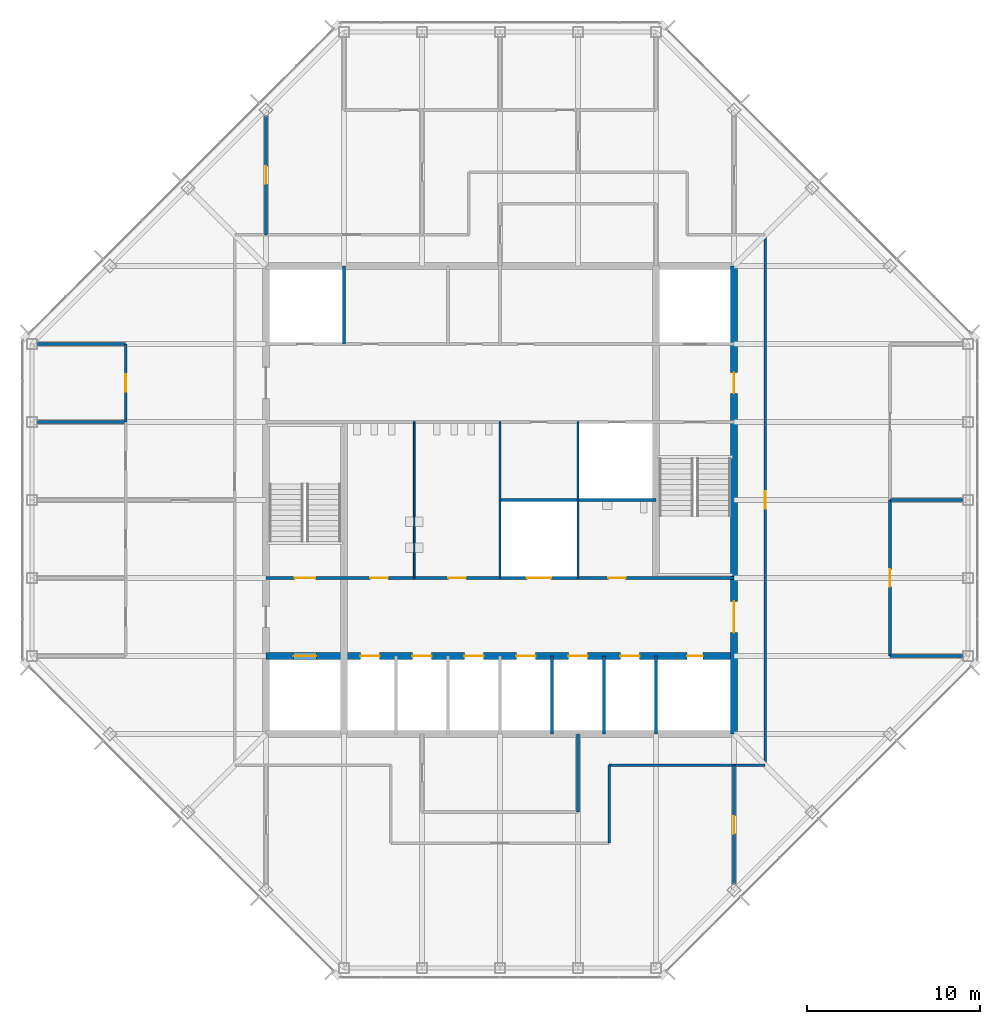
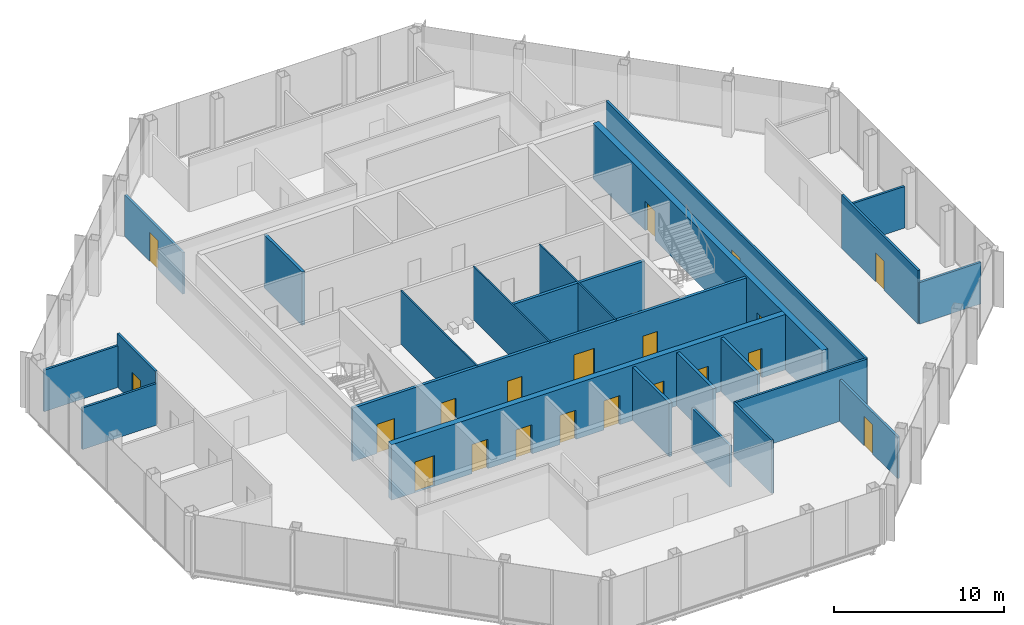
# One storey, part 10 of 14: 23 walls, 20 doors, 20 openings.
"""IFC4 building model written with IfcOpenShell, lengths in metres."""

from ifc_helpers import new_model, si_unit, direction, frame, frame_2d, origin, place, context, subcontext, project, spatial, rectangle, extrude, material, layer, layer_set, type_object, element, fill, save


model = new_model("IFC4")

# Units and contexts
model_context = context("Model", 3, precision=1e-05, world=origin(), true_north=direction((0.0, 1.0)))
body_context = subcontext(model_context, "Body", "Model", "MODEL_VIEW")
ifc_project = project(units=[si_unit("LENGTHUNIT", "METRE"), si_unit("AREAUNIT", "SQUARE_METRE"), si_unit("VOLUMEUNIT", "CUBIC_METRE"), si_unit("PLANEANGLEUNIT", "RADIAN"), si_unit("MASSUNIT", "GRAM", prefix="KILO")], contexts=[model_context])

# Site, building, storey
site_placement = place(None, origin())
site = spatial("IfcSite", under=ifc_project, at=site_placement, CompositionType="ELEMENT")
building_placement = place(site_placement, origin())
building = spatial("IfcBuilding", under=site, at=building_placement, Name="Corais Broadcast Tower", CompositionType="ELEMENT")
storey_placement = place(building_placement, frame((0.0, 0.0, 262.60009765625)))
storey = spatial("IfcBuildingStorey", under=building, at=storey_placement, Name="L61", CompositionType="ELEMENT", Elevation=262.60009765625)

# Walls
ifc_material_1 = material(Name="Concrete blockwork class A, grouted, two-hour", Category="masonry")
ifc_layer_1 = layer(ifc_material_1, 0.199951171875)
ifc_layer_set_1 = layer_set([ifc_layer_1], Name="Concrete blockwork class A, grouted, two-hour")
wall_type_1 = type_object("IfcWallType", Name="Core lobby wall 200", PredefinedType="SOLIDWALL", material=ifc_layer_set_1)
for number, where, z_axis, x_axis, name in (
    (1, (18.0, 36.0, 0.0), (0.0, 0.0, 1.0), (0.0, 1.0, 0.0), "CL3 core shaft wall X18B L61"),
    (2, (36.0, 13.5, 0.0), (0.0, 0.0, 1.0), (0.0, 1.0, 0.0), "CL3 core shaft wall X36A L61"),
):
    element("IfcWall", number, at=place(storey_placement, frame(where, z_axis=z_axis, x_axis=x_axis)), inside=storey, type_object=wall_type_1, Name=name, PredefinedType="SOLIDWALL", context=body_context, shape_type="SweptSolid", body=[
        extrude(rectangle(XDim=4.5, YDim=0.199951171875, at=frame_2d((2.25, 0.0))), origin(), (0.0, 0.0, 1.0), 3.83984375),
    ])

# Wall, openings, doors
wall_1_placement = place(storey_placement, frame((13.5, 22.5, 0.0), z_axis=(0.0, 0.0, 1.0), x_axis=(1.0, 0.0, 0.0)))
wall_1 = element("IfcWall", 3, at=wall_1_placement, inside=storey, type_object=wall_type_1, Name="CL3 core lobby wall Y225 L61", PredefinedType="SOLIDWALL", context=body_context, shape_type="SweptSolid", body=[
    extrude(rectangle(XDim=27.0, YDim=0.199951171875, at=frame_2d((13.5, 0.0))), origin(), (0.0, 0.0, 1.0), 3.83984375),
])
opening_1_placement = place(wall_1_placement, frame((1.64990234375, 0.0, 0.0)))
opening_1 = element("IfcOpeningElement", 4, at=opening_1_placement, cuts=wall_1, Name="Opening FD1", PredefinedType="OPENING", context=body_context, shape_type="SweptSolid", body=[
    extrude(rectangle(XDim=1.199951171875, YDim=2.10009765625, at=frame_2d((0.60009765625, 1.050048828125))), frame((0.0, 0.10986328125, 0.0), z_axis=(0.0, -1.0, 0.0), x_axis=(1.0, 0.0, 0.0)), (0.0, 0.0, 1.0), 0.219970703125),
])
opening_2_placement = place(wall_1_placement, frame((6.02490234375, 0.0, 0.0)))
opening_2 = element("IfcOpeningElement", 5, at=opening_2_placement, cuts=wall_1, Name="Opening WD1", PredefinedType="OPENING", context=body_context, shape_type="SweptSolid", body=[
    extrude(rectangle(XDim=1.0, YDim=2.10009765625, at=frame_2d((0.5, 1.050048828125))), frame((0.0, 0.10986328125, 0.0), z_axis=(0.0, -1.0, 0.0), x_axis=(1.0, 0.0, 0.0)), (0.0, 0.0, 1.0), 0.219970703125),
])
opening_3_placement = place(wall_1_placement, frame((10.52490234375, 0.0, 0.0)))
opening_3 = element("IfcOpeningElement", 6, at=opening_3_placement, cuts=wall_1, Name="Opening WD1", PredefinedType="OPENING", context=body_context, shape_type="SweptSolid", body=[
    extrude(rectangle(XDim=1.0, YDim=2.10009765625, at=frame_2d((0.5, 1.050048828125))), frame((0.0, 0.10986328125, 0.0), z_axis=(0.0, -1.0, 0.0), x_axis=(1.0, 0.0, 0.0)), (0.0, 0.0, 1.0), 0.219970703125),
])
opening_4_placement = place(wall_1_placement, frame((19.75, 0.0, 0.0)))
opening_4 = element("IfcOpeningElement", 7, at=opening_4_placement, cuts=wall_1, Name="Opening WD1", PredefinedType="OPENING", context=body_context, shape_type="SweptSolid", body=[
    extrude(rectangle(XDim=1.0, YDim=2.10009765625, at=frame_2d((0.5, 1.050048828125))), frame((0.0, 0.10986328125, 0.0), z_axis=(0.0, -1.0, 0.0), x_axis=(1.0, 0.0, 0.0)), (0.0, 0.0, 1.0), 0.219970703125),
])
opening_5_placement = place(wall_1_placement, frame((15.050048828125, 0.0, 0.0)))
opening_5 = element("IfcOpeningElement", 8, at=opening_5_placement, cuts=wall_1, Name="Opening LD3", PredefinedType="OPENING", context=body_context, shape_type="SweptSolid", body=[
    extrude(rectangle(XDim=1.39990234375, YDim=2.39990234375, at=frame_2d((0.699951171875, 1.199951171875))), frame((0.0, 0.10986328125, 0.0), z_axis=(0.0, -1.0, 0.0), x_axis=(1.0, 0.0, 0.0)), (0.0, 0.0, 1.0), 0.219970703125),
])
ifc_material_2 = material(Name="Steel fire door", Category="steel")
door_type_1 = type_object("IfcDoorType", Name="Fire door 1200x2100", OperationType="SINGLE_SWING_LEFT", PredefinedType="DOOR", material=ifc_material_2)
door_1_placement = place(opening_1_placement, origin())
door_1 = element("IfcDoor", 9, at=door_1_placement, inside=storey, type_object=door_type_1, Name="FD1 stair A door L61", OperationType="SINGLE_SWING_LEFT", OverallHeight=2.10009765625, OverallWidth=1.199951171875, PredefinedType="DOOR", context=body_context, shape_type="SweptSolid", body=[
    extrude(rectangle(XDim=1.199951171875, YDim=2.10009765625, at=frame_2d((0.60009765625, 1.050048828125))), frame((0.0, 0.02490234375, 0.0), z_axis=(0.0, -1.0, 0.0), x_axis=(1.0, 0.0, 0.0)), (0.0, 0.0, 1.0), 0.050048828125),
])
fill(opening_1, door_1)
ifc_material_3 = material(Name="Stainless steel lift door", Category="steel")
door_type_2 = type_object("IfcDoorType", Name="Service lift landing door 1400x2400", OperationType="SLIDING_TO_LEFT", PredefinedType="DOOR", material=ifc_material_3)
door_2_placement = place(opening_5_placement, origin())
door_2 = element("IfcDoor", 10, at=door_2_placement, inside=storey, type_object=door_type_2, Name="LD3 SL1 landing door L61", OperationType="SLIDING_TO_LEFT", OverallHeight=2.39990234375, OverallWidth=1.39990234375, PredefinedType="DOOR", context=body_context, shape_type="SweptSolid", body=[
    extrude(rectangle(XDim=1.39990234375, YDim=2.39990234375, at=frame_2d((0.699951171875, 1.199951171875))), frame((0.0, 0.02490234375, 0.0), z_axis=(0.0, -1.0, 0.0), x_axis=(1.0, 0.0, 0.0)), (0.0, 0.0, 1.0), 0.050048828125),
])
fill(opening_5, door_2)
ifc_material_4 = material(Name="Timber door", Category="wood")
door_type_3 = type_object("IfcDoorType", Name="Toilet door 1000x2100", OperationType="SINGLE_SWING_LEFT", PredefinedType="DOOR", material=ifc_material_4)
door_3_placement = place(opening_2_placement, origin())
door_3 = element("IfcDoor", 11, at=door_3_placement, inside=storey, type_object=door_type_3, Name="WD1 WC male door L61", OperationType="SINGLE_SWING_LEFT", OverallHeight=2.10009765625, OverallWidth=1.0, PredefinedType="DOOR", context=body_context, shape_type="SweptSolid", body=[
    extrude(rectangle(XDim=1.0, YDim=2.10009765625, at=frame_2d((0.5, 1.050048828125))), frame((0.0, 0.02490234375, 0.0), z_axis=(0.0, -1.0, 0.0), x_axis=(1.0, 0.0, 0.0)), (0.0, 0.0, 1.0), 0.050048828125),
])
fill(opening_2, door_3)
door_4_placement = place(opening_3_placement, origin())
door_4 = element("IfcDoor", 12, at=door_4_placement, inside=storey, type_object=door_type_3, Name="WD1 WC female door L61", OperationType="SINGLE_SWING_LEFT", OverallHeight=2.10009765625, OverallWidth=1.0, PredefinedType="DOOR", context=body_context, shape_type="SweptSolid", body=[
    extrude(rectangle(XDim=1.0, YDim=2.10009765625, at=frame_2d((0.5, 1.050048828125))), frame((0.0, 0.02490234375, 0.0), z_axis=(0.0, -1.0, 0.0), x_axis=(1.0, 0.0, 0.0)), (0.0, 0.0, 1.0), 0.050048828125),
])
fill(opening_3, door_4)
door_5_placement = place(opening_4_placement, origin())
door_5 = element("IfcDoor", 13, at=door_5_placement, inside=storey, type_object=door_type_3, Name="WD1 accessible WC door L61", OperationType="SINGLE_SWING_RIGHT", OverallHeight=2.10009765625, OverallWidth=1.0, PredefinedType="DOOR", context=body_context, shape_type="SweptSolid", body=[
    extrude(rectangle(XDim=1.0, YDim=2.10009765625, at=frame_2d((0.5, 1.050048828125))), frame((0.0, 0.02490234375, 0.0), z_axis=(0.0, -1.0, 0.0), x_axis=(1.0, 0.0, 0.0)), (0.0, 0.0, 1.0), 0.050048828125),
])
fill(opening_4, door_5)

ifc_material_5 = material(Name="Concrete C50/60", Category="concrete")
ifc_layer_2 = layer(ifc_material_5, 0.39990234375)
ifc_layer_set_2 = layer_set([ifc_layer_2], Name="Concrete C50/60")
wall_type_2 = type_object("IfcWallType", Name="Core wall 400", PredefinedType="SHEAR", material=ifc_layer_set_2)
wall_2_placement = place(storey_placement, frame((40.5, 13.5, 0.0), z_axis=(0.0, 0.0, 1.0), x_axis=(0.0, 1.0, 0.0)))
wall_2 = element("IfcWall", 14, at=wall_2_placement, inside=storey, type_object=wall_type_2, Name="CR400 core wall E L61", PredefinedType="SHEAR", context=body_context, shape_type="SweptSolid", body=[
    extrude(rectangle(XDim=27.0, YDim=0.39990234375, at=frame_2d((13.5, 0.0))), origin(), (0.0, 0.0, 1.0), 4.0),
])
opening_6_placement = place(wall_2_placement, frame((5.85009765625, 0.0, 0.0)))
opening_6 = element("IfcOpeningElement", 15, at=opening_6_placement, cuts=wall_2, Name="Opening FD2", PredefinedType="OPENING", context=body_context, shape_type="SweptSolid", body=[
    extrude(rectangle(XDim=1.800048828125, YDim=2.10009765625, at=frame_2d((0.89990234375, 1.050048828125))), frame((0.0, 0.2099609375, 0.0), z_axis=(0.0, -1.0, 0.0), x_axis=(1.0, 0.0, 0.0)), (0.0, 0.0, 1.0), 0.419921875),
])
opening_7_placement = place(wall_2_placement, frame((19.64990234375, 0.0, 0.0)))
opening_7 = element("IfcOpeningElement", 16, at=opening_7_placement, cuts=wall_2, Name="Opening FD1", PredefinedType="OPENING", context=body_context, shape_type="SweptSolid", body=[
    extrude(rectangle(XDim=1.199951171875, YDim=2.10009765625, at=frame_2d((0.60009765625, 1.050048828125))), frame((0.0, 0.2099609375, 0.0), z_axis=(0.0, -1.0, 0.0), x_axis=(1.0, 0.0, 0.0)), (0.0, 0.0, 1.0), 0.419921875),
])
door_6_placement = place(opening_7_placement, origin())
door_6 = element("IfcDoor", 17, at=door_6_placement, inside=storey, type_object=door_type_1, Name="FD1 fire lobby B door L61", OperationType="SINGLE_SWING_RIGHT", OverallHeight=2.10009765625, OverallWidth=1.199951171875, PredefinedType="DOOR", context=body_context, shape_type="SweptSolid", body=[
    extrude(rectangle(XDim=1.199951171875, YDim=2.10009765625, at=frame_2d((0.60009765625, 1.050048828125))), frame((0.0, 0.02490234375, 0.0), z_axis=(0.0, -1.0, 0.0), x_axis=(1.0, 0.0, 0.0)), (0.0, 0.0, 1.0), 0.050048828125),
])
fill(opening_7, door_6)
ifc_material_6 = material(Name="Steel fire door", Category="steel")
door_type_4 = type_object("IfcDoorType", Name="Fire door pair 1800x2100", OperationType="DOUBLE_DOOR_SINGLE_SWING", PredefinedType="DOOR", material=ifc_material_6)
door_7_placement = place(opening_6_placement, origin())
door_7 = element("IfcDoor", 18, at=door_7_placement, inside=storey, type_object=door_type_4, Name="FD2 lift lobby door L61", OperationType="SINGLE_SWING_LEFT", OverallHeight=2.10009765625, OverallWidth=1.800048828125, PredefinedType="DOOR", context=body_context, shape_type="SweptSolid", body=[
    extrude(rectangle(XDim=1.800048828125, YDim=2.10009765625, at=frame_2d((0.89990234375, 1.050048828125))), frame((0.0, 0.02490234375, 0.0), z_axis=(0.0, -1.0, 0.0), x_axis=(1.0, 0.0, 0.0)), (0.0, 0.0, 1.0), 0.050048828125),
])
fill(opening_6, door_7)

wall_3_placement = place(storey_placement, frame((13.5, 18.0, 0.0), z_axis=(0.0, 0.0, 1.0), x_axis=(1.0, 0.0, 0.0)))
wall_3 = element("IfcWall", 19, at=wall_3_placement, inside=storey, type_object=wall_type_2, Name="CR400 core wall Y18 L61", PredefinedType="SHEAR", context=body_context, shape_type="SweptSolid", body=[
    extrude(rectangle(XDim=27.0, YDim=0.39990234375, at=frame_2d((13.5, 0.0))), origin(), (0.0, 0.0, 1.0), 4.0),
])
opening_8_placement = place(wall_3_placement, frame((24.300048828125, 0.0, 0.0)))
opening_8 = element("IfcOpeningElement", 20, at=opening_8_placement, cuts=wall_3, Name="Opening RD1", PredefinedType="OPENING", context=body_context, shape_type="SweptSolid", body=[
    extrude(rectangle(XDim=0.89990234375, YDim=2.10009765625, at=frame_2d((0.449951171875, 1.050048828125))), frame((0.0, 0.2099609375, 0.0), z_axis=(0.0, -1.0, 0.0), x_axis=(1.0, 0.0, 0.0)), (0.0, 0.0, 1.0), 0.419921875),
])
opening_9_placement = place(wall_3_placement, frame((5.449951171875, 0.0, 0.0)))
opening_9 = element("IfcOpeningElement", 21, at=opening_9_placement, cuts=wall_3, Name="Opening LD1", PredefinedType="OPENING", context=body_context, shape_type="SweptSolid", body=[
    extrude(rectangle(XDim=1.10009765625, YDim=2.10009765625, at=frame_2d((0.550048828125, 1.050048828125))), frame((0.0, 0.2099609375, 0.0), z_axis=(0.0, -1.0, 0.0), x_axis=(1.0, 0.0, 0.0)), (0.0, 0.0, 1.0), 0.419921875),
])
opening_10_placement = place(wall_3_placement, frame((8.449951171875, 0.0, 0.0)))
opening_10 = element("IfcOpeningElement", 22, at=opening_10_placement, cuts=wall_3, Name="Opening LD1", PredefinedType="OPENING", context=body_context, shape_type="SweptSolid", body=[
    extrude(rectangle(XDim=1.10009765625, YDim=2.10009765625, at=frame_2d((0.550048828125, 1.050048828125))), frame((0.0, 0.2099609375, 0.0), z_axis=(0.0, -1.0, 0.0), x_axis=(1.0, 0.0, 0.0)), (0.0, 0.0, 1.0), 0.419921875),
])
opening_11_placement = place(wall_3_placement, frame((11.449951171875, 0.0, 0.0)))
opening_11 = element("IfcOpeningElement", 23, at=opening_11_placement, cuts=wall_3, Name="Opening LD1", PredefinedType="OPENING", context=body_context, shape_type="SweptSolid", body=[
    extrude(rectangle(XDim=1.10009765625, YDim=2.10009765625, at=frame_2d((0.550048828125, 1.050048828125))), frame((0.0, 0.2099609375, 0.0), z_axis=(0.0, -1.0, 0.0), x_axis=(1.0, 0.0, 0.0)), (0.0, 0.0, 1.0), 0.419921875),
])
opening_12_placement = place(wall_3_placement, frame((14.449951171875, 0.0, 0.0)))
opening_12 = element("IfcOpeningElement", 24, at=opening_12_placement, cuts=wall_3, Name="Opening LD1", PredefinedType="OPENING", context=body_context, shape_type="SweptSolid", body=[
    extrude(rectangle(XDim=1.10009765625, YDim=2.10009765625, at=frame_2d((0.550048828125, 1.050048828125))), frame((0.0, 0.2099609375, 0.0), z_axis=(0.0, -1.0, 0.0), x_axis=(1.0, 0.0, 0.0)), (0.0, 0.0, 1.0), 0.419921875),
])
opening_13_placement = place(wall_3_placement, frame((17.449951171875, 0.0, 0.0)))
opening_13 = element("IfcOpeningElement", 25, at=opening_13_placement, cuts=wall_3, Name="Opening LD1", PredefinedType="OPENING", context=body_context, shape_type="SweptSolid", body=[
    extrude(rectangle(XDim=1.10009765625, YDim=2.10009765625, at=frame_2d((0.550048828125, 1.050048828125))), frame((0.0, 0.2099609375, 0.0), z_axis=(0.0, -1.0, 0.0), x_axis=(1.0, 0.0, 0.0)), (0.0, 0.0, 1.0), 0.419921875),
])
opening_14_placement = place(wall_3_placement, frame((20.449951171875, 0.0, 0.0)))
opening_14 = element("IfcOpeningElement", 26, at=opening_14_placement, cuts=wall_3, Name="Opening LD1", PredefinedType="OPENING", context=body_context, shape_type="SweptSolid", body=[
    extrude(rectangle(XDim=1.10009765625, YDim=2.10009765625, at=frame_2d((0.550048828125, 1.050048828125))), frame((0.0, 0.2099609375, 0.0), z_axis=(0.0, -1.0, 0.0), x_axis=(1.0, 0.0, 0.0)), (0.0, 0.0, 1.0), 0.419921875),
])
opening_15_placement = place(wall_3_placement, frame((1.60009765625, 0.0, 0.0)))
opening_15 = element("IfcOpeningElement", 27, at=opening_15_placement, cuts=wall_3, Name="Opening LD2", PredefinedType="OPENING", context=body_context, shape_type="SweptSolid", body=[
    extrude(rectangle(XDim=1.300048828125, YDim=2.199951171875, at=frame_2d((0.64990234375, 1.10009765625))), frame((0.0, 0.2099609375, 0.0), z_axis=(0.0, -1.0, 0.0), x_axis=(1.0, 0.0, 0.0)), (0.0, 0.0, 1.0), 0.419921875),
])
ifc_material_7 = material(Name="Stainless steel lift door", Category="steel")
door_type_5 = type_object("IfcDoorType", Name="Lift landing door 1100x2100", OperationType="SLIDING_TO_LEFT", PredefinedType="DOOR", material=ifc_material_7)
door_8_placement = place(opening_9_placement, origin())
door_8 = element("IfcDoor", 28, at=door_8_placement, inside=storey, type_object=door_type_5, Name="LD1 PH1 landing door L61", OperationType="SLIDING_TO_LEFT", OverallHeight=2.10009765625, OverallWidth=1.10009765625, PredefinedType="DOOR", context=body_context, shape_type="SweptSolid", body=[
    extrude(rectangle(XDim=1.10009765625, YDim=2.10009765625, at=frame_2d((0.550048828125, 1.050048828125))), frame((0.0, 0.02490234375, 0.0), z_axis=(0.0, -1.0, 0.0), x_axis=(1.0, 0.0, 0.0)), (0.0, 0.0, 1.0), 0.050048828125),
])
fill(opening_9, door_8)
door_9_placement = place(opening_10_placement, origin())
door_9 = element("IfcDoor", 29, at=door_9_placement, inside=storey, type_object=door_type_5, Name="LD1 PH2 landing door L61", OperationType="SLIDING_TO_LEFT", OverallHeight=2.10009765625, OverallWidth=1.10009765625, PredefinedType="DOOR", context=body_context, shape_type="SweptSolid", body=[
    extrude(rectangle(XDim=1.10009765625, YDim=2.10009765625, at=frame_2d((0.550048828125, 1.050048828125))), frame((0.0, 0.02490234375, 0.0), z_axis=(0.0, -1.0, 0.0), x_axis=(1.0, 0.0, 0.0)), (0.0, 0.0, 1.0), 0.050048828125),
])
fill(opening_10, door_9)
door_10_placement = place(opening_11_placement, origin())
door_10 = element("IfcDoor", 30, at=door_10_placement, inside=storey, type_object=door_type_5, Name="LD1 PH3 landing door L61", OperationType="SLIDING_TO_LEFT", OverallHeight=2.10009765625, OverallWidth=1.10009765625, PredefinedType="DOOR", context=body_context, shape_type="SweptSolid", body=[
    extrude(rectangle(XDim=1.10009765625, YDim=2.10009765625, at=frame_2d((0.550048828125, 1.050048828125))), frame((0.0, 0.02490234375, 0.0), z_axis=(0.0, -1.0, 0.0), x_axis=(1.0, 0.0, 0.0)), (0.0, 0.0, 1.0), 0.050048828125),
])
fill(opening_11, door_10)
door_11_placement = place(opening_12_placement, origin())
door_11 = element("IfcDoor", 31, at=door_11_placement, inside=storey, type_object=door_type_5, Name="LD1 PH4 landing door L61", OperationType="SLIDING_TO_LEFT", OverallHeight=2.10009765625, OverallWidth=1.10009765625, PredefinedType="DOOR", context=body_context, shape_type="SweptSolid", body=[
    extrude(rectangle(XDim=1.10009765625, YDim=2.10009765625, at=frame_2d((0.550048828125, 1.050048828125))), frame((0.0, 0.02490234375, 0.0), z_axis=(0.0, -1.0, 0.0), x_axis=(1.0, 0.0, 0.0)), (0.0, 0.0, 1.0), 0.050048828125),
])
fill(opening_12, door_11)
door_12_placement = place(opening_13_placement, origin())
door_12 = element("IfcDoor", 32, at=door_12_placement, inside=storey, type_object=door_type_5, Name="LD1 PH5 landing door L61", OperationType="SLIDING_TO_LEFT", OverallHeight=2.10009765625, OverallWidth=1.10009765625, PredefinedType="DOOR", context=body_context, shape_type="SweptSolid", body=[
    extrude(rectangle(XDim=1.10009765625, YDim=2.10009765625, at=frame_2d((0.550048828125, 1.050048828125))), frame((0.0, 0.02490234375, 0.0), z_axis=(0.0, -1.0, 0.0), x_axis=(1.0, 0.0, 0.0)), (0.0, 0.0, 1.0), 0.050048828125),
])
fill(opening_13, door_12)
door_13_placement = place(opening_14_placement, origin())
door_13 = element("IfcDoor", 33, at=door_13_placement, inside=storey, type_object=door_type_5, Name="LD1 PH6 landing door L61", OperationType="SLIDING_TO_LEFT", OverallHeight=2.10009765625, OverallWidth=1.10009765625, PredefinedType="DOOR", context=body_context, shape_type="SweptSolid", body=[
    extrude(rectangle(XDim=1.10009765625, YDim=2.10009765625, at=frame_2d((0.550048828125, 1.050048828125))), frame((0.0, 0.02490234375, 0.0), z_axis=(0.0, -1.0, 0.0), x_axis=(1.0, 0.0, 0.0)), (0.0, 0.0, 1.0), 0.050048828125),
])
fill(opening_14, door_13)
ifc_material_8 = material(Name="Stainless steel lift door", Category="steel")
door_type_6 = type_object("IfcDoorType", Name="Lift landing door 1300x2200", OperationType="SLIDING_TO_LEFT", PredefinedType="DOOR", material=ifc_material_8)
door_14_placement = place(opening_15_placement, origin())
door_14 = element("IfcDoor", 34, at=door_14_placement, inside=storey, type_object=door_type_6, Name="LD2 FL1 landing door L61", OperationType="SLIDING_TO_LEFT", OverallHeight=2.199951171875, OverallWidth=1.300048828125, PredefinedType="DOOR", context=body_context, shape_type="SweptSolid", body=[
    extrude(rectangle(XDim=1.300048828125, YDim=2.199951171875, at=frame_2d((0.64990234375, 1.10009765625))), frame((0.0, 0.02490234375, 0.0), z_axis=(0.0, -1.0, 0.0), x_axis=(1.0, 0.0, 0.0)), (0.0, 0.0, 1.0), 0.050048828125),
])
fill(opening_15, door_14)
ifc_material_9 = material(Name="Steel fire door", Category="steel")
door_type_7 = type_object("IfcDoorType", Name="Riser door 900x2100", OperationType="SINGLE_SWING_LEFT", PredefinedType="DOOR", material=ifc_material_9)
door_15_placement = place(opening_8_placement, origin())
door_15 = element("IfcDoor", 35, at=door_15_placement, inside=storey, type_object=door_type_7, Name="RD1 riser door L61", OperationType="SINGLE_SWING_RIGHT", OverallHeight=2.10009765625, OverallWidth=0.89990234375, PredefinedType="DOOR", context=body_context, shape_type="SweptSolid", body=[
    extrude(rectangle(XDim=0.89990234375, YDim=2.10009765625, at=frame_2d((0.449951171875, 1.050048828125))), frame((0.0, 0.02490234375, 0.0), z_axis=(0.0, -1.0, 0.0), x_axis=(1.0, 0.0, 0.0)), (0.0, 0.0, 1.0), 0.050048828125),
])
fill(opening_8, door_15)

# Wall, opening, door
ifc_material_10 = material(Name="Gypsum board on steel studs", Category="steel")
ifc_layer_3 = layer(ifc_material_10, 0.14990234375)
ifc_layer_set_3 = layer_set([ifc_layer_3], Name="Gypsum board on steel studs")
wall_type_3 = type_object("IfcWallType", Name="Partition 150", PredefinedType="PARTITIONING", material=ifc_layer_set_3)
wall_4_placement = place(storey_placement, frame((42.300048828125, 11.699951171875, 0.0), z_axis=(0.0, 0.0, 1.0), x_axis=(0.0, 1.0, 0.0)))
wall_4 = element("IfcWall", 36, at=wall_4_placement, inside=storey, type_object=wall_type_3, Name="IW3 corridor wall L61", PredefinedType="PARTITIONING", context=body_context, shape_type="SweptSolid", body=[
    extrude(rectangle(XDim=30.60009765625, YDim=0.14990234375, at=frame_2d((15.300048828125, 0.0))), origin(), (0.0, 0.0, 1.0), 3.83984375),
])
opening_16_placement = place(wall_4_placement, frame((14.800048828125, 0.0, 0.0)))
opening_16 = element("IfcOpeningElement", 37, at=opening_16_placement, cuts=wall_4, Name="Opening D1", PredefinedType="OPENING", context=body_context, shape_type="SweptSolid", body=[
    extrude(rectangle(XDim=1.0, YDim=2.10009765625, at=frame_2d((0.5, 1.050048828125))), frame((0.0, 0.0849609375, 0.0), z_axis=(0.0, -1.0, 0.0), x_axis=(1.0, 0.0, 0.0)), (0.0, 0.0, 1.0), 0.169921875),
])
ifc_material_11 = material(Name="Timber door", Category="wood")
door_type_8 = type_object("IfcDoorType", Name="Single door 1000x2100", OperationType="SINGLE_SWING_LEFT", PredefinedType="DOOR", material=ifc_material_11)
door_16_placement = place(opening_16_placement, origin())
door_16 = element("IfcDoor", 38, at=door_16_placement, inside=storey, type_object=door_type_8, Name="D1 workplace door L61", OperationType="SINGLE_SWING_LEFT", OverallHeight=2.10009765625, OverallWidth=1.0, PredefinedType="DOOR", context=body_context, shape_type="SweptSolid", body=[
    extrude(rectangle(XDim=1.0, YDim=2.10009765625, at=frame_2d((0.5, 1.050048828125))), frame((0.0, 0.02490234375, 0.0), z_axis=(0.0, -1.0, 0.0), x_axis=(1.0, 0.0, 0.0)), (0.0, 0.0, 1.0), 0.050048828125),
])
fill(opening_16, door_16)

# Walls
wall_5_placement = place(storey_placement, frame((33.300048828125, 11.699951171875, 0.0), z_axis=(0.0, 0.0, 1.0), x_axis=(1.0, 0.0, 0.0)))
element("IfcWall", 39, at=wall_5_placement, inside=storey, type_object=wall_type_3, Name="IW3 corridor wall L61", PredefinedType="PARTITIONING", context=body_context, shape_type="SweptSolid", body=[
    extrude(rectangle(XDim=9.0, YDim=0.14990234375, at=frame_2d((4.5, 0.0))), origin(), (0.0, 0.0, 1.0), 3.83984375),
])
wall_6_placement = place(storey_placement, frame((33.300048828125, 7.199951171875, 0.0), z_axis=(0.0, 0.0, 1.0), x_axis=(0.0, 1.0, 0.0)))
element("IfcWall", 40, at=wall_6_placement, inside=storey, type_object=wall_type_3, Name="IW3 corridor wall L61", PredefinedType="PARTITIONING", context=body_context, shape_type="SweptSolid", body=[
    extrude(rectangle(XDim=4.5, YDim=0.14990234375, at=frame_2d((2.25, 0.0))), origin(), (0.0, 0.0, 1.0), 3.83984375),
])
for number, where, z_axis, x_axis, name in (
    (41, (49.5, 18.0, 0.0), (0.0, 0.0, 1.0), (1.0, 0.0, 0.0), "IW3 partition L61"),
    (42, (53.68994140625, 27.0, 0.0), (0.0, 0.0, 1.0), (-1.0, 0.0, 0.0), "IW3 partition L61"),
):
    element("IfcWall", number, at=place(storey_placement, frame(where, z_axis=z_axis, x_axis=x_axis)), inside=storey, type_object=wall_type_3, Name=name, PredefinedType="PARTITIONING", context=body_context, shape_type="SweptSolid", body=[
        extrude(rectangle(XDim=4.18994140625, YDim=0.14990234375, at=frame_2d((2.094970703125, 0.0))), origin(), (0.0, 0.0, 1.0), 2.989013671875),
    ])

# Wall, opening, door
wall_7_placement = place(storey_placement, frame((49.5, 27.0, 0.0), z_axis=(0.0, 0.0, 1.0), x_axis=(0.0, -1.0, 0.0)))
wall_7 = element("IfcWall", 43, at=wall_7_placement, inside=storey, type_object=wall_type_3, Name="IW3 partition L61", PredefinedType="PARTITIONING", context=body_context, shape_type="SweptSolid", body=[
    extrude(rectangle(XDim=9.0, YDim=0.14990234375, at=frame_2d((4.5, 0.0))), origin(), (0.0, 0.0, 1.0), 3.83984375),
])
opening_17_placement = place(wall_7_placement, frame((4.0, 0.0, 0.0)))
opening_17 = element("IfcOpeningElement", 44, at=opening_17_placement, cuts=wall_7, Name="Opening D1", PredefinedType="OPENING", context=body_context, shape_type="SweptSolid", body=[
    extrude(rectangle(XDim=1.0, YDim=2.10009765625, at=frame_2d((0.5, 1.050048828125))), frame((0.0, 0.0849609375, 0.0), z_axis=(0.0, -1.0, 0.0), x_axis=(1.0, 0.0, 0.0)), (0.0, 0.0, 1.0), 0.169921875),
])
door_17_placement = place(opening_17_placement, origin())
door_17 = element("IfcDoor", 45, at=door_17_placement, inside=storey, type_object=door_type_8, Name="D1 Client meeting room door", OperationType="SINGLE_SWING_LEFT", OverallHeight=2.10009765625, OverallWidth=1.0, PredefinedType="DOOR", context=body_context, shape_type="SweptSolid", body=[
    extrude(rectangle(XDim=1.0, YDim=2.10009765625, at=frame_2d((0.5, 1.050048828125))), frame((0.0, 0.02490234375, 0.0), z_axis=(0.0, -1.0, 0.0), x_axis=(1.0, 0.0, 0.0)), (0.0, 0.0, 1.0), 0.050048828125),
])
fill(opening_17, door_17)

# Wall
wall_8_placement = place(storey_placement, frame((5.39990234375, 31.5, 0.0), z_axis=(0.0, 0.0, 1.0), x_axis=(-1.0, 0.0, 0.0)))
element("IfcWall", 46, at=wall_8_placement, inside=storey, type_object=wall_type_3, Name="IW3 partition L61", PredefinedType="PARTITIONING", context=body_context, shape_type="SweptSolid", body=[
    extrude(rectangle(XDim=5.08984375, YDim=0.14990234375, at=frame_2d((2.544921875, 0.0))), origin(), (0.0, 0.0, 1.0), 2.989013671875),
])

# Wall, opening, door
wall_9_placement = place(storey_placement, frame((5.39990234375, 31.5, 0.0), z_axis=(0.0, 0.0, 1.0), x_axis=(0.0, 1.0, 0.0)))
wall_9 = element("IfcWall", 47, at=wall_9_placement, inside=storey, type_object=wall_type_3, Name="IW3 partition L61", PredefinedType="PARTITIONING", context=body_context, shape_type="SweptSolid", body=[
    extrude(rectangle(XDim=4.5, YDim=0.14990234375, at=frame_2d((2.25, 0.0))), origin(), (0.0, 0.0, 1.0), 3.83984375),
])
opening_18_placement = place(wall_9_placement, frame((1.75, 0.0, 0.0)))
opening_18 = element("IfcOpeningElement", 48, at=opening_18_placement, cuts=wall_9, Name="Opening D1", PredefinedType="OPENING", context=body_context, shape_type="SweptSolid", body=[
    extrude(rectangle(XDim=1.0, YDim=2.10009765625, at=frame_2d((0.5, 1.050048828125))), frame((0.0, 0.0849609375, 0.0), z_axis=(0.0, -1.0, 0.0), x_axis=(1.0, 0.0, 0.0)), (0.0, 0.0, 1.0), 0.169921875),
])
door_18_placement = place(opening_18_placement, origin())
door_18 = element("IfcDoor", 49, at=door_18_placement, inside=storey, type_object=door_type_8, Name="D1 Office door", OperationType="SINGLE_SWING_LEFT", OverallHeight=2.10009765625, OverallWidth=1.0, PredefinedType="DOOR", context=body_context, shape_type="SweptSolid", body=[
    extrude(rectangle(XDim=1.0, YDim=2.10009765625, at=frame_2d((0.5, 1.050048828125))), frame((0.0, 0.02490234375, 0.0), z_axis=(0.0, -1.0, 0.0), x_axis=(1.0, 0.0, 0.0)), (0.0, 0.0, 1.0), 0.050048828125),
])
fill(opening_18, door_18)

# Walls
wall_10_placement = place(storey_placement, frame((5.39990234375, 36.0, 0.0), z_axis=(0.0, 0.0, 1.0), x_axis=(-1.0, 0.0, 0.0)))
element("IfcWall", 50, at=wall_10_placement, inside=storey, type_object=wall_type_3, Name="IW3 partition L61", PredefinedType="PARTITIONING", context=body_context, shape_type="SweptSolid", body=[
    extrude(rectangle(XDim=5.08984375, YDim=0.14990234375, at=frame_2d((2.544921875, 0.0))), origin(), (0.0, 0.0, 1.0), 2.989013671875),
])
wall_11_placement = place(storey_placement, frame((31.5, 9.0, 0.0), z_axis=(0.0, 0.0, 1.0), x_axis=(0.0, 1.0, 0.0)))
element("IfcWall", 51, at=wall_11_placement, inside=storey, type_object=wall_type_3, Name="IW3 partition L61", PredefinedType="PARTITIONING", context=body_context, shape_type="SweptSolid", body=[
    extrude(rectangle(XDim=4.5, YDim=0.14990234375, at=frame_2d((2.25, 0.0))), origin(), (0.0, 0.0, 1.0), 2.989013671875),
])

# Wall, opening, door
wall_12_placement = place(storey_placement, frame((13.5, 42.300048828125, 0.0), z_axis=(0.0, 0.0, 1.0), x_axis=(0.0, 1.0, 0.0)))
wall_12 = element("IfcWall", 52, at=wall_12_placement, inside=storey, type_object=wall_type_3, Name="IW3 partition L61", PredefinedType="PARTITIONING", context=body_context, shape_type="SweptSolid", body=[
    extrude(rectangle(XDim=6.8798828125, YDim=0.14990234375, at=frame_2d((3.43994140625, 0.0))), origin(), (0.0, 0.0, 1.0), 2.989013671875),
])
opening_19_placement = place(wall_12_placement, frame((2.93994140625, 0.0, 0.0)))
opening_19 = element("IfcOpeningElement", 53, at=opening_19_placement, cuts=wall_12, Name="Opening D1", PredefinedType="OPENING", context=body_context, shape_type="SweptSolid", body=[
    extrude(rectangle(XDim=1.0, YDim=2.10009765625, at=frame_2d((0.5, 1.050048828125))), frame((0.0, 0.0849609375, 0.0), z_axis=(0.0, -1.0, 0.0), x_axis=(1.0, 0.0, 0.0)), (0.0, 0.0, 1.0), 0.169921875),
])
door_19_placement = place(opening_19_placement, origin())
door_19 = element("IfcDoor", 54, at=door_19_placement, inside=storey, type_object=door_type_8, Name="D1 team room door L61", OperationType="SINGLE_SWING_LEFT", OverallHeight=2.10009765625, OverallWidth=1.0, PredefinedType="DOOR", context=body_context, shape_type="SweptSolid", body=[
    extrude(rectangle(XDim=1.0, YDim=2.10009765625, at=frame_2d((0.5, 1.050048828125))), frame((0.0, 0.02490234375, 0.0), z_axis=(0.0, -1.0, 0.0), x_axis=(1.0, 0.0, 0.0)), (0.0, 0.0, 1.0), 0.050048828125),
])
fill(opening_19, door_19)

wall_13_placement = place(storey_placement, frame((40.5, 4.820068359375, 0.0), z_axis=(0.0, 0.0, 1.0), x_axis=(0.0, 1.0, 0.0)))
wall_13 = element("IfcWall", 55, at=wall_13_placement, inside=storey, type_object=wall_type_3, Name="IW3 partition L61", PredefinedType="PARTITIONING", context=body_context, shape_type="SweptSolid", body=[
    extrude(rectangle(XDim=6.8798828125, YDim=0.14990234375, at=frame_2d((3.43994140625, 0.0))), origin(), (0.0, 0.0, 1.0), 2.989013671875),
])
opening_20_placement = place(wall_13_placement, frame((2.93994140625, 0.0, 0.0)))
opening_20 = element("IfcOpeningElement", 56, at=opening_20_placement, cuts=wall_13, Name="Opening D1", PredefinedType="OPENING", context=body_context, shape_type="SweptSolid", body=[
    extrude(rectangle(XDim=1.0, YDim=2.10009765625, at=frame_2d((0.5, 1.050048828125))), frame((0.0, 0.0849609375, 0.0), z_axis=(0.0, -1.0, 0.0), x_axis=(1.0, 0.0, 0.0)), (0.0, 0.0, 1.0), 0.169921875),
])
door_20_placement = place(opening_20_placement, origin())
door_20 = element("IfcDoor", 57, at=door_20_placement, inside=storey, type_object=door_type_8, Name="D1 team room door L61", OperationType="SINGLE_SWING_LEFT", OverallHeight=2.10009765625, OverallWidth=1.0, PredefinedType="DOOR", context=body_context, shape_type="SweptSolid", body=[
    extrude(rectangle(XDim=1.0, YDim=2.10009765625, at=frame_2d((0.5, 1.050048828125))), frame((0.0, 0.02490234375, 0.0), z_axis=(0.0, -1.0, 0.0), x_axis=(1.0, 0.0, 0.0)), (0.0, 0.0, 1.0), 0.050048828125),
])
fill(opening_20, door_20)

# Walls
ifc_material_12 = material(Name="Concrete blockwork class A, grouted, two-hour", Category="masonry")
ifc_layer_4 = layer(ifc_material_12, 0.199951171875)
ifc_layer_set_4 = layer_set([ifc_layer_4], Name="Concrete blockwork class A, grouted, two-hour")
wall_type_4 = type_object("IfcWallType", Name="Shaft wall 200", PredefinedType="PARTITIONING", material=ifc_layer_set_4)
for number, where, z_axis, x_axis, name in (
    (58, (30.0, 13.5, 0.0), (0.0, 0.0, 1.0), (0.0, 1.0, 0.0), "IW1 shaft wall L61"),
    (59, (33.0, 13.5, 0.0), (0.0, 0.0, 1.0), (0.0, 1.0, 0.0), "IW1 shaft wall L61"),
):
    element("IfcWall", number, at=place(storey_placement, frame(where, z_axis=z_axis, x_axis=x_axis)), inside=storey, type_object=wall_type_4, Name=name, PredefinedType="PARTITIONING", context=body_context, shape_type="SweptSolid", body=[
        extrude(rectangle(XDim=4.5, YDim=0.199951171875, at=frame_2d((2.25, 0.0))), origin(), (0.0, 0.0, 1.0), 3.83984375),
    ])
wall_14_placement = place(storey_placement, frame((27.0, 27.0, 0.0), z_axis=(0.0, 0.0, 1.0), x_axis=(1.0, 0.0, 0.0)))
element("IfcWall", 60, at=wall_14_placement, inside=storey, type_object=wall_type_4, Name="IW1 shaft wall L61", PredefinedType="PARTITIONING", context=body_context, shape_type="SweptSolid", body=[
    extrude(rectangle(XDim=9.0, YDim=0.199951171875, at=frame_2d((4.5, 0.0))), origin(), (0.0, 0.0, 1.0), 3.83984375),
])
ifc_material_13 = material(Name="Dense concrete blockwork class A, tiled both faces", Category="masonry")
ifc_layer_5 = layer(ifc_material_13, 0.10009765625)
ifc_layer_set_5 = layer_set([ifc_layer_5], Name="Dense concrete blockwork class A, tiled both faces")
wall_type_5 = type_object("IfcWallType", Name="Toilet wall 100", PredefinedType="PLUMBINGWALL", material=ifc_layer_set_5)
for number, where, z_axis, x_axis, name in (
    (61, (22.050048828125, 22.5, 0.0), (0.0, 0.0, 1.0), (0.0, 1.0, 0.0), "IW2 toilet wall L61"),
    (62, (27.0, 22.5, 0.0), (0.0, 0.0, 1.0), (0.0, 1.0, 0.0), "IW2 toilet wall L61"),
    (63, (31.5, 22.5, 0.0), (0.0, 0.0, 1.0), (0.0, 1.0, 0.0), "IW2 toilet wall L61"),
):
    element("IfcWall", number, at=place(storey_placement, frame(where, z_axis=z_axis, x_axis=x_axis)), inside=storey, type_object=wall_type_5, Name=name, PredefinedType="PLUMBINGWALL", context=body_context, shape_type="SweptSolid", body=[
        extrude(rectangle(XDim=9.0, YDim=0.10009765625, at=frame_2d((4.5, 0.0))), origin(), (0.0, 0.0, 1.0), 3.83984375),
    ])

save(model, "model.ifc")
